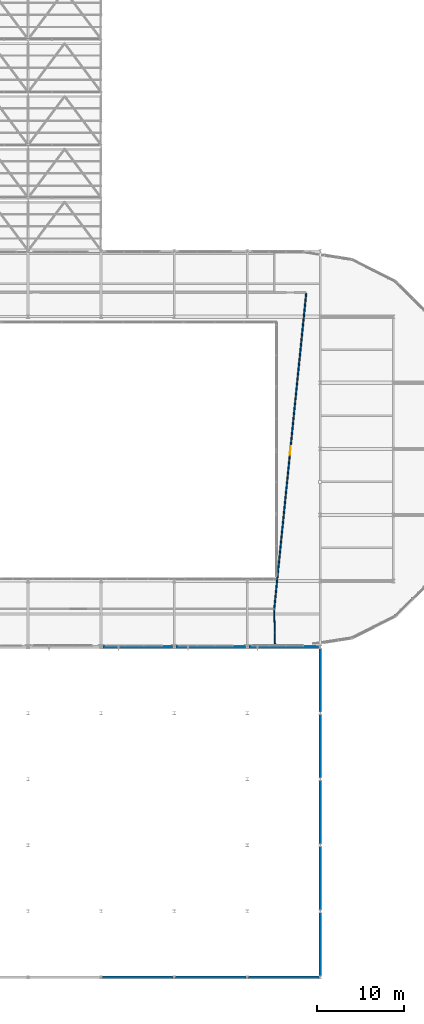
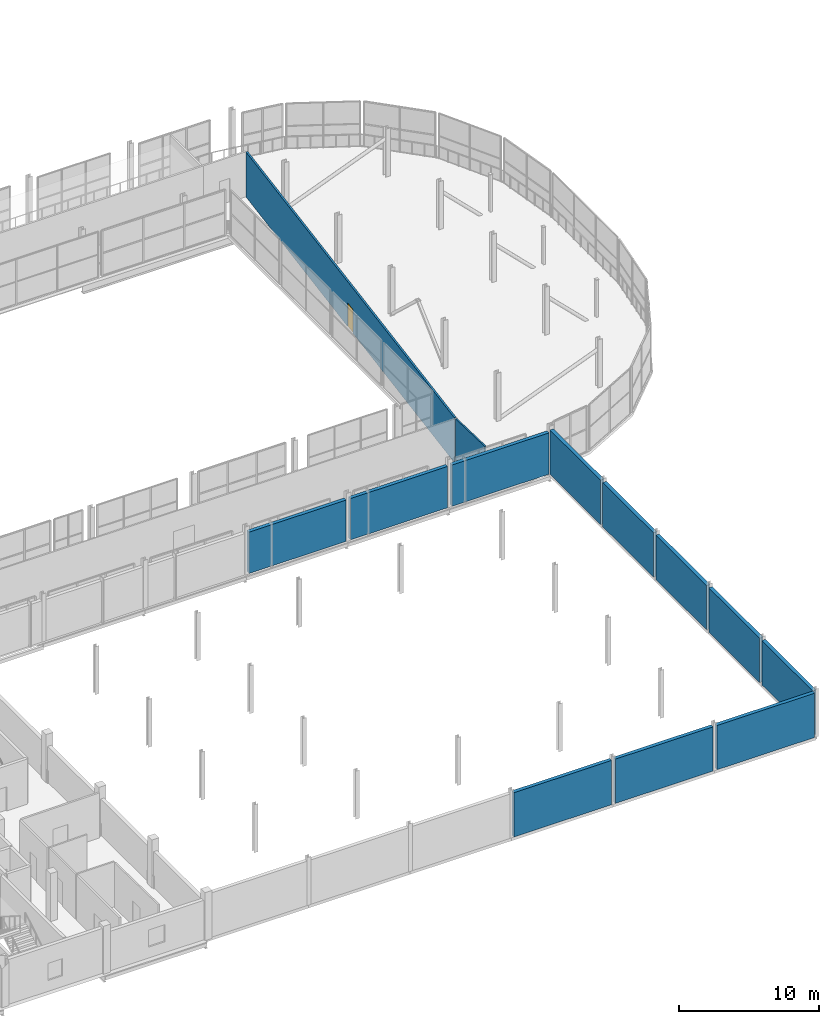
# One storey, part 198 of 217: 13 walls, 1 door, 1 opening.
"""IFC4 building model written with IfcOpenShell, lengths in metres."""

from ifc_helpers import new_model, si_unit, direction, frame, frame_2d, origin, place, context, subcontext, project, spatial, rectangle, extrude, material, layer, layer_set, type_object, element, fill, save


model = new_model("IFC4")

# Units and contexts
model_context = context("Model", 3, precision=1e-05, world=origin(), true_north=direction((0.0, 1.0)))
body_context = subcontext(model_context, "Body", "Model", "MODEL_VIEW")
ifc_project = project(units=[si_unit("LENGTHUNIT", "METRE"), si_unit("AREAUNIT", "SQUARE_METRE"), si_unit("VOLUMEUNIT", "CUBIC_METRE"), si_unit("PLANEANGLEUNIT", "RADIAN"), si_unit("MASSUNIT", "GRAM", prefix="KILO")], contexts=[model_context])

# Site, building, storey
site_placement = place(None, origin())
site = spatial("IfcSite", under=ifc_project, at=site_placement, CompositionType="ELEMENT")
building_placement = place(site_placement, origin())
building = spatial("IfcBuilding", under=site, at=building_placement, Name="Zuvorla Pavilion Media Centre", CompositionType="ELEMENT")
storey_placement = place(building_placement, frame((0.0, 0.0, 9.60009765625)))
storey = spatial("IfcBuildingStorey", under=building, at=storey_placement, Name="L02", CompositionType="ELEMENT", Elevation=9.60009765625)

# Walls
ifc_material_1 = material(Name="White rendered concrete C32/40", Category="concrete")
ifc_layer_1 = layer(ifc_material_1, 0.300048828125)
ifc_layer_set_1 = layer_set([ifc_layer_1], Name="White rendered concrete C32/40")
wall_type_1 = type_object("IfcWallType", Name="WL-EXT-300", PredefinedType="SOLIDWALL", material=ifc_layer_set_1)
for number, where, z_axis, x_axis, name in (
    (1, (134.154541015625, 6.0, 0.0), (0.0, 0.0, 1.0), (1.0, 0.0, 0.0), "L02 exterior solid wall EW03 218"),
    (2, (142.5546875, 6.0, 0.0), (0.0, 0.0, 1.0), (1.0, 0.0, 0.0), "L02 exterior solid wall EW03 219"),
    (3, (150.95458984375, 6.0, 0.0), (0.0, 0.0, 1.0), (1.0, 0.0, 0.0), "L02 exterior solid wall EW03 220"),
):
    element("IfcWall", number, at=place(storey_placement, frame(where, z_axis=z_axis, x_axis=x_axis)), inside=storey, type_object=wall_type_1, Name=name, PredefinedType="SOLIDWALL", context=body_context, shape_type="SweptSolid", body=[
        extrude(rectangle(XDim=8.0908203125, YDim=0.300048828125, at=frame_2d((4.04541015625, 0.0))), origin(), (0.0, 0.0, 1.0), 3.875),
    ])
for number, where, z_axis, x_axis, name in (
    (4, (159.199951171875, 6.16015625, 0.0), (0.0, 0.0, 1.0), (0.0, 1.0, 0.0), "L02 exterior solid wall EW03 221"),
    (5, (159.199951171875, 13.76025390625, 0.0), (0.0, 0.0, 1.0), (0.0, 1.0, 0.0), "L02 exterior solid wall EW03 222"),
):
    element("IfcWall", number, at=place(storey_placement, frame(where, z_axis=z_axis, x_axis=x_axis)), inside=storey, type_object=wall_type_1, Name=name, PredefinedType="SOLIDWALL", context=body_context, shape_type="SweptSolid", body=[
        extrude(rectangle(XDim=7.279541015625, YDim=0.300048828125, at=frame_2d((3.6396484375, 0.0))), origin(), (0.0, 0.0, 1.0), 3.875),
    ])
wall_1_placement = place(storey_placement, frame((159.199951171875, 21.3603515625, 0.0), z_axis=(0.0, 0.0, 1.0), x_axis=(0.0, 1.0, 0.0)))
element("IfcWall", 6, at=wall_1_placement, inside=storey, type_object=wall_type_1, Name="L02 exterior solid wall EW03 223", PredefinedType="SOLIDWALL", context=body_context, shape_type="SweptSolid", body=[
    extrude(rectangle(XDim=7.279296875, YDim=0.300048828125, at=frame_2d((3.6396484375, 0.0))), origin(), (0.0, 0.0, 1.0), 3.875),
])
wall_2_placement = place(storey_placement, frame((159.199951171875, 28.960205078125, 0.0), z_axis=(0.0, 0.0, 1.0), x_axis=(0.0, 1.0, 0.0)))
element("IfcWall", 7, at=wall_2_placement, inside=storey, type_object=wall_type_1, Name="L02 exterior solid wall EW03 224", PredefinedType="SOLIDWALL", context=body_context, shape_type="SweptSolid", body=[
    extrude(rectangle(XDim=7.279541015625, YDim=0.300048828125, at=frame_2d((3.6396484375, 0.0))), origin(), (0.0, 0.0, 1.0), 3.875),
])
wall_3_placement = place(storey_placement, frame((159.199951171875, 36.560302734375, 0.0), z_axis=(0.0, 0.0, 1.0), x_axis=(0.0, 1.0, 0.0)))
element("IfcWall", 8, at=wall_3_placement, inside=storey, type_object=wall_type_1, Name="L02 exterior solid wall EW03 225", PredefinedType="SOLIDWALL", context=body_context, shape_type="SweptSolid", body=[
    extrude(rectangle(XDim=7.255615234375, YDim=0.300048828125, at=frame_2d((3.6279296875, 0.0))), origin(), (0.0, 0.0, 1.0), 3.875),
])
wall_4_placement = place(storey_placement, frame((159.013671875, 44.0, 0.0), z_axis=(0.0, 0.0, 1.0), x_axis=(-1.0, 0.0, 0.0)))
element("IfcWall", 9, at=wall_4_placement, inside=storey, type_object=wall_type_1, Name="L02 exterior solid wall EW03 226", PredefinedType="SOLIDWALL", context=body_context, shape_type="SweptSolid", body=[
    extrude(rectangle(XDim=8.02734375, YDim=0.300048828125, at=frame_2d((4.013671875, 0.0))), origin(), (0.0, 0.0, 1.0), 3.616943359375),
])
wall_5_placement = place(storey_placement, frame((150.61376953125, 44.0, 0.0), z_axis=(0.0, 0.0, 1.0), x_axis=(-1.0, 0.0, 0.0)))
element("IfcWall", 10, at=wall_5_placement, inside=storey, type_object=wall_type_1, Name="L02 exterior solid wall EW03 227", PredefinedType="SOLIDWALL", context=body_context, shape_type="SweptSolid", body=[
    extrude(rectangle(XDim=8.027587890625, YDim=0.300048828125, at=frame_2d((4.013671875, 0.0))), origin(), (0.0, 0.0, 1.0), 3.616943359375),
])
wall_6_placement = place(storey_placement, frame((142.213623046875, 44.0, 0.0), z_axis=(0.0, 0.0, 1.0), x_axis=(-1.0, 0.0, 0.0)))
element("IfcWall", 11, at=wall_6_placement, inside=storey, type_object=wall_type_1, Name="L02 exterior solid wall EW03 228", PredefinedType="SOLIDWALL", context=body_context, shape_type="SweptSolid", body=[
    extrude(rectangle(XDim=8.02734375, YDim=0.300048828125, at=frame_2d((4.013671875, 0.0))), origin(), (0.0, 0.0, 1.0), 3.616943359375),
])
ifc_material_2 = material(Name="Lightweight gypsum partition")
ifc_layer_2 = layer(ifc_material_2, 0.1201171875)
ifc_layer_set_2 = layer_set([ifc_layer_2], Name="Lightweight gypsum partition")
wall_type_2 = type_object("IfcWallType", Name="WL-PRT-120", PredefinedType="PARTITIONING", material=ifc_layer_set_2)
wall_7_placement = place(storey_placement, frame((153.911865234375, 48.31005859375, 0.0), z_axis=(0.0, 0.0, 1.0), x_axis=(0.021973384398, -0.999758556041, 0.0)))
element("IfcWall", 12, at=wall_7_placement, inside=storey, type_object=wall_type_2, Name="L02 partition PT12 517", PredefinedType="PARTITIONING", context=body_context, shape_type="SweptSolid", body=[
    extrude(rectangle(XDim=4.010986328125, YDim=0.1201171875, at=frame_2d((2.00537109375, 0.0))), origin(), (0.0, 0.0, 1.0), 3.929931640625),
])

# Wall, opening, door
ifc_material_3 = material(Name="Acoustic gypsum stud partition")
ifc_layer_3 = layer(ifc_material_3, 0.14990234375)
ifc_layer_set_3 = layer_set([ifc_layer_3], Name="Acoustic gypsum stud partition")
wall_type_3 = type_object("IfcWallType", Name="WL-PRT-150", PredefinedType="PARTITIONING", material=ifc_layer_set_3)
wall_8_placement = place(storey_placement, frame((157.591796875, 84.720458984375, 0.0), z_axis=(0.0, 0.0, 1.0), x_axis=(-0.100835454597, -0.994903116437, 0.0)))
wall_8 = element("IfcWall", 13, at=wall_8_placement, inside=storey, type_object=wall_type_3, Name="L02 partition PT15 509", PredefinedType="PARTITIONING", context=body_context, shape_type="SweptSolid", body=[
    extrude(rectangle(XDim=36.426513671875, YDim=0.14990234375, at=frame_2d((18.21337890625, 0.0))), origin(), (0.0, 0.0, 1.0), 3.929931640625),
])
opening_placement = place(wall_8_placement, frame((17.72314453125, 0.0, 0.0)))
opening = element("IfcOpeningElement", 14, at=opening_placement, cuts=wall_8, Name="Opening ID03", PredefinedType="OPENING", context=body_context, shape_type="SweptSolid", body=[
    extrude(rectangle(XDim=0.97998046875, YDim=2.080078125, at=frame_2d((0.489990234375, 1.0400390625))), frame((0.0, 0.0849609375, 0.0), z_axis=(0.0, -1.0, 0.0), x_axis=(1.0, 0.0, 0.0)), (0.0, 0.0, 1.0), 0.169921875),
])
ifc_material_4 = material(Name="Hardwood acoustic studio door in anodised frame", Category="wood")
door_type = type_object("IfcDoorType", Name="DR-UNR-ID03", OperationType="NOTDEFINED", PredefinedType="DOOR", material=ifc_material_4)
door_placement = place(opening_placement, origin())
door = element("IfcDoor", 15, at=door_placement, inside=storey, type_object=door_type, Name="Interior door ID03 215", OperationType="SINGLE_SWING_RIGHT", OverallHeight=2.080078125, OverallWidth=0.97998046875, PredefinedType="DOOR", context=body_context, shape_type="SweptSolid", body=[
    extrude(rectangle(XDim=0.97998046875, YDim=2.080078125, at=frame_2d((0.489990234375, 1.0400390625))), frame((0.0, 0.02490234375, 0.0), z_axis=(0.0, -1.0, 0.0), x_axis=(1.0, 0.0, 0.0)), (0.0, 0.0, 1.0), 0.050048828125),
])
fill(opening, door)

save(model, "model.ifc")
